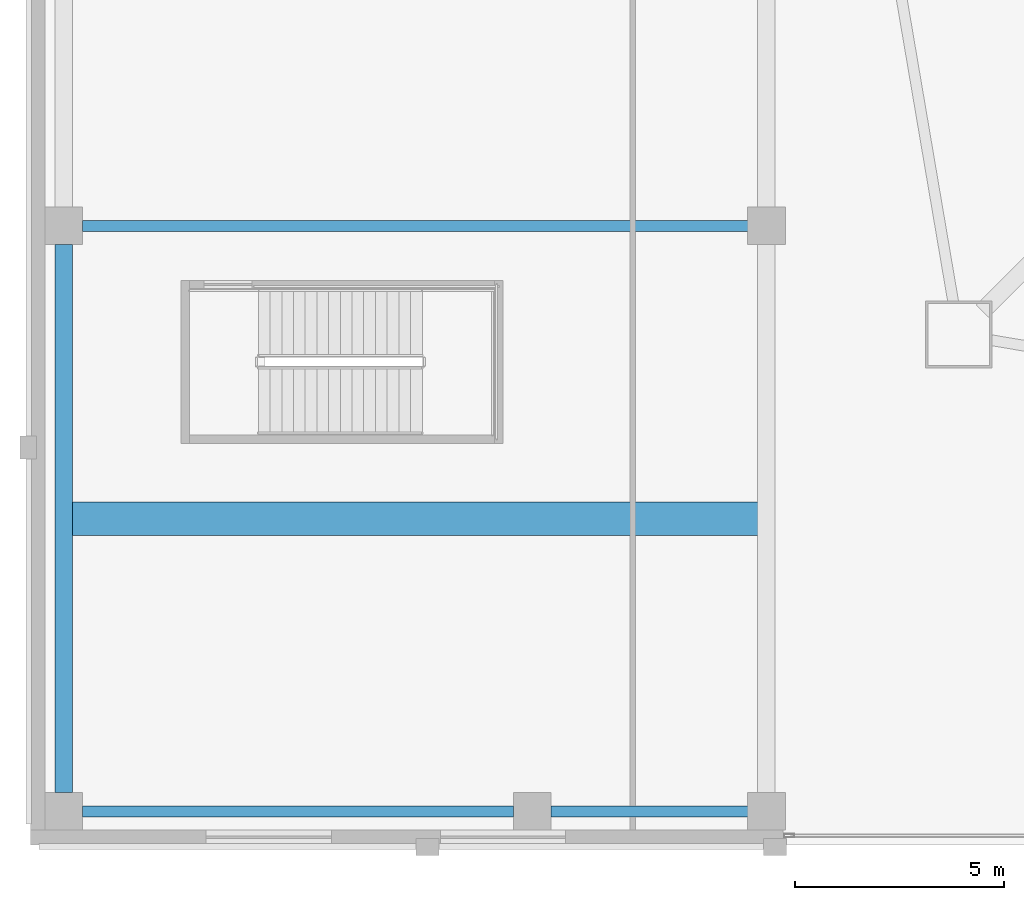
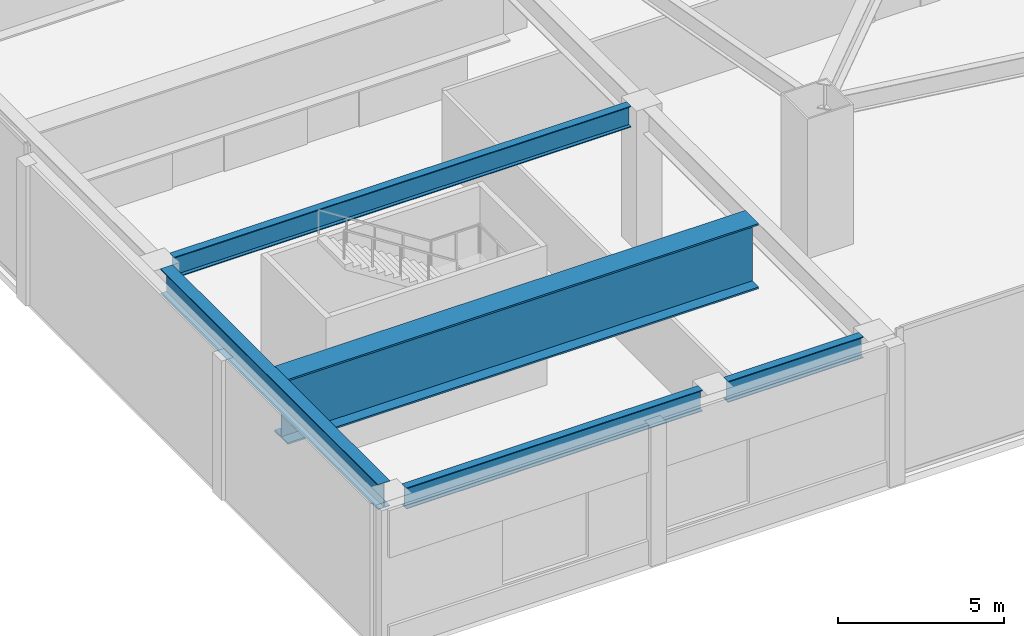
# One storey, part 5 of 48: 5 beams.
"""IFC4 building model written with IfcOpenShell, lengths in metres."""

from ifc_helpers import new_model, si_unit, direction, frame, origin, origin_2d, place, context, subcontext, project, spatial, i_section, extrude, material, material_profile, profile_set, type_object, element, save


model = new_model("IFC4")

# Units and contexts
model_context = context("Model", 3, precision=1e-05, world=origin(), true_north=direction((0.0, 1.0)))
body_context = subcontext(model_context, "Body", "Model", "MODEL_VIEW")
ifc_project = project(units=[si_unit("LENGTHUNIT", "METRE"), si_unit("AREAUNIT", "SQUARE_METRE"), si_unit("VOLUMEUNIT", "CUBIC_METRE"), si_unit("PLANEANGLEUNIT", "RADIAN"), si_unit("MASSUNIT", "GRAM", prefix="KILO")], contexts=[model_context])

# Site, building, storey
site_placement = place(None, origin())
site = spatial("IfcSite", under=ifc_project, at=site_placement, CompositionType="ELEMENT")
building_placement = place(site_placement, origin())
building = spatial("IfcBuilding", under=site, at=building_placement, Name="Tashvorn Skyway Center", CompositionType="ELEMENT")
storey_placement = place(building_placement, frame((0.0, 0.0, 10.199951171875)))
storey = spatial("IfcBuildingStorey", under=building, at=storey_placement, Name="L02", CompositionType="ELEMENT", Elevation=10.199951171875)

# Beams
ifc_material_1 = material(Name="Steel ASTM A572 Grade 50", Category="steel")
ifc_material_profile_1 = material_profile(ifc_material_1, i_section(OverallWidth=0.800048828125, OverallDepth=2.39990234375, WebThickness=0.035888671875, FlangeThickness=0.06005859375, at=origin_2d()), Name="PG2400x800")
ifc_profile_set_1 = profile_set([ifc_material_profile_1], Name="Steel ASTM A572 Grade 50")
beam_type_1 = type_object("IfcBeamType", Name="BM-BEAM-PG2400x800", PredefinedType="BEAM", material=ifc_profile_set_1)
beam_1_placement = place(storey_placement, frame((1.00146484375, 7.800048828125, 3.93994140625), z_axis=(1.0, 0.0, 0.0), x_axis=(0.0, 1.0, 0.0)))
element("IfcBeam", 1, at=beam_1_placement, inside=storey, type_object=beam_type_1, Name="L02 West Auditorium Span Girder 02", PredefinedType="BEAM", context=body_context, shape_type="SweptSolid", body=[
    extrude(i_section(OverallWidth=0.800048828125, OverallDepth=2.39990234375, WebThickness=0.035888671875, FlangeThickness=0.06005859375, at=origin_2d()), origin(), (0.0, 0.0, 1.0), 16.39697265625),
])
ifc_material_2 = material(Name="Steel ASTM A992 Grade 50", Category="steel")
ifc_material_profile_2 = material_profile(ifc_material_2, i_section(OverallWidth=0.26708984375, OverallDepth=0.779052734375, WebThickness=0.0166015625, FlangeThickness=0.030029296875, at=origin_2d()), Name="W30X148")
ifc_profile_set_2 = profile_set([ifc_material_profile_2], Name="Steel ASTM A992 Grade 50")
beam_type_2 = type_object("IfcBeamType", Name="BM-BEAM-W30X148", PredefinedType="BEAM", material=ifc_profile_set_2)
beam_2_placement = place(storey_placement, frame((1.2451171875, 0.800048828125, 4.75048828125), z_axis=(1.0, 0.0, 0.0), x_axis=(0.0, 1.0, 0.0)))
element("IfcBeam", 2, at=beam_2_placement, inside=storey, type_object=beam_type_2, Name="L02 West Edge Girder A 01", PredefinedType="BEAM", context=body_context, shape_type="SweptSolid", body=[
    extrude(i_section(OverallWidth=0.26708984375, OverallDepth=0.779052734375, WebThickness=0.0166015625, FlangeThickness=0.030029296875, at=origin_2d()), origin(), (0.0, 0.0, 1.0), 10.309814453125),
])
beam_3_placement = place(storey_placement, frame((12.445068359375, 0.800048828125, 4.75048828125), z_axis=(1.0, 0.0, 0.0), x_axis=(0.0, 1.0, 0.0)))
element("IfcBeam", 3, at=beam_3_placement, inside=storey, type_object=beam_type_2, Name="L02 West Edge Girder B 01", PredefinedType="BEAM", context=body_context, shape_type="SweptSolid", body=[
    extrude(i_section(OverallWidth=0.26708984375, OverallDepth=0.779052734375, WebThickness=0.0166015625, FlangeThickness=0.030029296875, at=origin_2d()), origin(), (0.0, 0.0, 1.0), 4.7099609375),
])
beam_4_placement = place(storey_placement, frame((1.2451171875, 14.800048828125, 4.75048828125), z_axis=(1.0, 0.0, 0.0), x_axis=(0.0, 1.0, 0.0)))
element("IfcBeam", 4, at=beam_4_placement, inside=storey, type_object=beam_type_2, Name="L02 West Auditorium Span Girder 03", PredefinedType="BEAM", context=body_context, shape_type="SweptSolid", body=[
    extrude(i_section(OverallWidth=0.26708984375, OverallDepth=0.779052734375, WebThickness=0.0166015625, FlangeThickness=0.030029296875, at=origin_2d()), origin(), (0.0, 0.0, 1.0), 15.909912109375),
])
ifc_material_3 = material(Name="Steel ASTM A913 Grade 65", Category="steel")
ifc_material_profile_3 = material_profile(ifc_material_3, i_section(OverallWidth=0.4189453125, OverallDepth=0.927001953125, WebThickness=0.019287109375, FlangeThickness=0.031982421875, at=origin_2d()), Name="W36X231")
ifc_profile_set_3 = profile_set([ifc_material_profile_3], Name="Steel ASTM A913 Grade 65")
beam_type_3 = type_object("IfcBeamType", Name="BM-BEAM-W36X231", PredefinedType="BEAM", material=ifc_profile_set_3)
beam_5_placement = place(storey_placement, frame((0.800048828125, 1.2451171875, 4.676513671875), z_axis=(0.0, 1.0, 0.0), x_axis=(-1.0, 0.0, 0.0)))
element("IfcBeam", 5, at=beam_5_placement, inside=storey, type_object=beam_type_3, Name="L02 North-South Podium Girder 01-S", PredefinedType="BEAM", context=body_context, shape_type="SweptSolid", body=[
    extrude(i_section(OverallWidth=0.4189453125, OverallDepth=0.927001953125, WebThickness=0.019287109375, FlangeThickness=0.031982421875, at=origin_2d()), origin(), (0.0, 0.0, 1.0), 13.10986328125),
])

save(model, "model.ifc")
